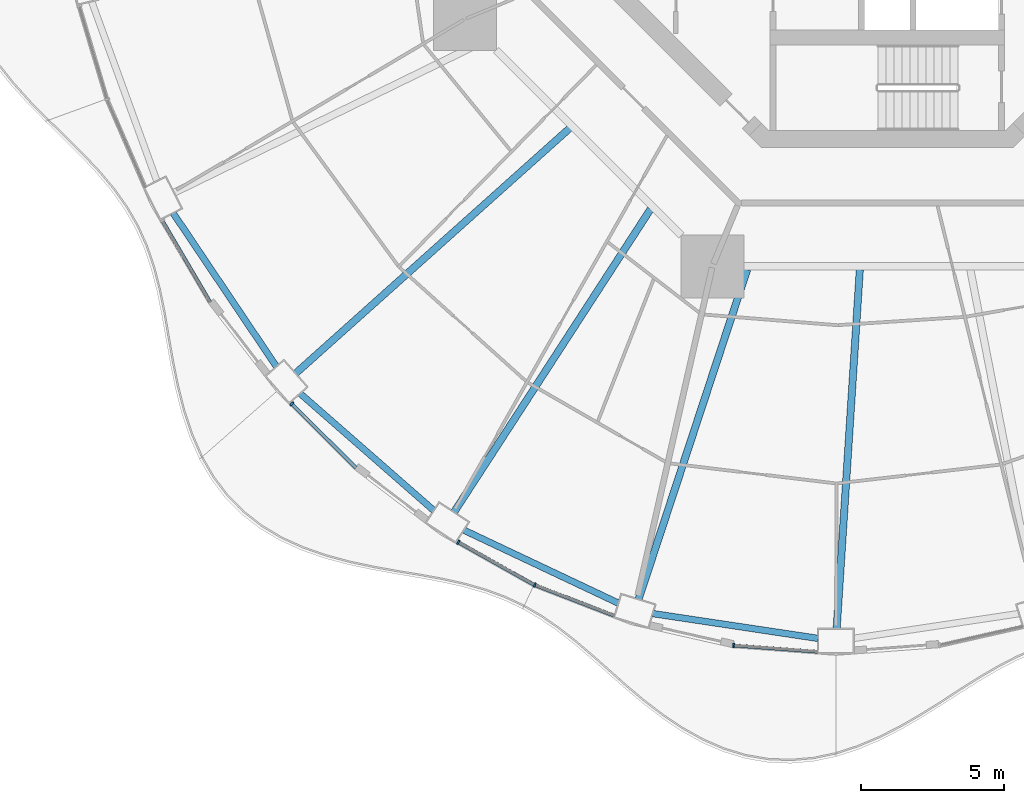
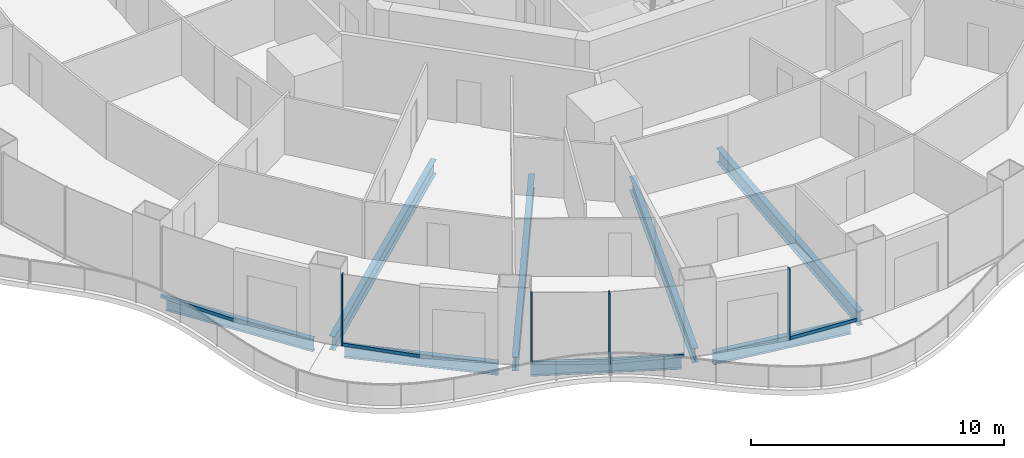
# One storey, part 2 of 22: 9 members, 8 beams, 5 elements without a shape of their own.
"""IFC4 building model written with IfcOpenShell, lengths in metres."""

from ifc_helpers import new_model, si_unit, direction, frame, origin, origin_2d, place, context, subcontext, project, spatial, rectangle, i_section, extrude, material, layer, layer_set, material_profile, profile_set, type_object, element, aggregate, save


model = new_model("IFC4")

# Units and contexts
model_context = context("Model", 3, precision=1e-05, world=origin(), true_north=direction((0.0, 1.0)))
body_context = subcontext(model_context, "Body", "Model", "MODEL_VIEW")
ifc_project = project(units=[si_unit("LENGTHUNIT", "METRE"), si_unit("AREAUNIT", "SQUARE_METRE"), si_unit("VOLUMEUNIT", "CUBIC_METRE"), si_unit("PLANEANGLEUNIT", "RADIAN"), si_unit("MASSUNIT", "GRAM", prefix="KILO")], contexts=[model_context])

# Site, building, storey
site_placement = place(None, origin())
site = spatial("IfcSite", under=ifc_project, at=site_placement, CompositionType="ELEMENT")
building_placement = place(site_placement, origin())
building = spatial("IfcBuilding", under=site, at=building_placement, Name="Nagisa Residences", CompositionType="ELEMENT")
storey_placement = place(building_placement, frame((0.0, 0.0, 99.199951171875)))
storey = spatial("IfcBuildingStorey", under=building, at=storey_placement, Name="L24", CompositionType="ELEMENT", Elevation=99.199951171875)

# Curtain wall, member
ifc_material_1 = material(Name="Concrete-coloured aluminium curtain wall system", Category="concrete")
ifc_layer = layer(ifc_material_1, 0.159912109375)
ifc_layer_set = layer_set([ifc_layer], Name="CW1 CURTAIN WALL")
curtain_wall_type = type_object("IfcCurtainWallType", Name="CW1 CURTAIN WALL", PredefinedType="NOTDEFINED", material=ifc_layer_set)
curtain_wall_1_placement = place(storey_placement, origin())
curtain_wall_1 = element("IfcCurtainWall", 1, at=curtain_wall_1_placement, inside=storey, type_object=curtain_wall_type, Name="cw:CW1:L24:30", PredefinedType="NOTDEFINED")
ifc_material_2 = material(Name="Concrete-coloured aluminium", Category="concrete")
ifc_material_profile_1 = material_profile(ifc_material_2, rectangle(XDim=0.159912109375, YDim=0.06005859375, at=origin_2d()), Name="CW1 MULLION 160x60")
ifc_profile_set_1 = profile_set([ifc_material_profile_1], Name="Concrete-coloured aluminium")
member_type_1 = type_object("IfcMemberType", Name="CW1 MULLION 160x60", PredefinedType="MULLION", material=ifc_profile_set_1)
member_1_placement = place(storey_placement, frame((-20.845458984375, -19.590576171875, 0.0), z_axis=(0.0, 0.0, 1.0), x_axis=(0.706376885714, 0.707835924016, 0.0)))
member_1 = element("IfcMember", 2, at=member_1_placement, type_object=member_type_1, Name="CW1 mullion", PredefinedType="MULLION", context=body_context, shape_type="SweptSolid", body=[
    extrude(rectangle(XDim=0.159912109375, YDim=0.06005859375, at=origin_2d()), origin(), (0.0, 0.0, 1.0), 3.43994140625),
])

curtain_wall_2_placement = place(storey_placement, origin())
curtain_wall_2 = element("IfcCurtainWall", 3, at=curtain_wall_2_placement, inside=storey, type_object=curtain_wall_type, Name="cw:CW1:L24:32", PredefinedType="NOTDEFINED")
member_2_placement = place(storey_placement, frame((-15.015380859375, -24.43798828125, 0.0), z_axis=(0.0, 0.0, 1.0), x_axis=(0.489376918501, 0.872072377523, 0.0)))
member_2 = element("IfcMember", 4, at=member_2_placement, type_object=member_type_1, Name="CW1 mullion", PredefinedType="MULLION", context=body_context, shape_type="SweptSolid", body=[
    extrude(rectangle(XDim=0.159912109375, YDim=0.06005859375, at=origin_2d()), origin(), (0.0, 0.0, 1.0), 3.43994140625),
])

curtain_wall_3_placement = place(storey_placement, origin())
curtain_wall_3 = element("IfcCurtainWall", 5, at=curtain_wall_3_placement, inside=storey, type_object=curtain_wall_type, Name="cw:CW1:L24:33", PredefinedType="NOTDEFINED")
member_3_placement = place(storey_placement, frame((-12.341552734375, -25.9345703125, 0.0), z_axis=(0.0, 0.0, 1.0), x_axis=(0.360327770268, 0.932825759707, 0.0)))
member_3 = element("IfcMember", 6, at=member_3_placement, type_object=member_type_1, Name="CW1 mullion", PredefinedType="MULLION", context=body_context, shape_type="SweptSolid", body=[
    extrude(rectangle(XDim=0.159912109375, YDim=0.06005859375, at=origin_2d()), origin(), (0.0, 0.0, 1.0), 3.43994140625),
])

curtain_wall_4_placement = place(storey_placement, origin())
curtain_wall_4 = element("IfcCurtainWall", 7, at=curtain_wall_4_placement, inside=storey, type_object=curtain_wall_type, Name="cw:CW1:L24:35", PredefinedType="NOTDEFINED")
member_4_placement = place(storey_placement, frame((-5.379150390625, -28.050048828125, 0.0), z_axis=(0.0, 0.0, 1.0), x_axis=(0.074377355493, 0.997230168512, 0.0)))
member_4 = element("IfcMember", 8, at=member_4_placement, type_object=member_type_1, Name="CW1 mullion", PredefinedType="MULLION", context=body_context, shape_type="SweptSolid", body=[
    extrude(rectangle(XDim=0.159912109375, YDim=0.06005859375, at=origin_2d()), origin(), (0.0, 0.0, 1.0), 3.43994140625),
])

curtain_wall_5_placement = place(storey_placement, origin())
curtain_wall_5 = element("IfcCurtainWall", 9, at=curtain_wall_5_placement, inside=storey, type_object=curtain_wall_type, Name="cw:CW1:L24:28", PredefinedType="NOTDEFINED")
ifc_material_3 = material(Name="Concrete-coloured aluminium", Category="concrete")
ifc_material_profile_2 = material_profile(ifc_material_3, rectangle(XDim=0.1201171875, YDim=0.14990234375, at=origin_2d()), Name="CW1 TRANSOM 120x150")
ifc_profile_set_2 = profile_set([ifc_material_profile_2], Name="Concrete-coloured aluminium")
member_type_2 = type_object("IfcMemberType", Name="CW1 TRANSOM 120x150", PredefinedType="USERDEFINED", material=ifc_profile_set_2)
member_5_placement = place(storey_placement, frame((-25.386474609375, -13.159912109375, 0.074951171875), z_axis=(0.506384588027, -0.862307746114, 0.0), x_axis=(0.862307746114, 0.506384588027, 0.0)))
member_5 = element("IfcMember", 10, at=member_5_placement, type_object=member_type_2, Name="CW1 transom", ObjectType="TRANSOM", PredefinedType="USERDEFINED", context=body_context, shape_type="SweptSolid", body=[
    extrude(rectangle(XDim=0.1201171875, YDim=0.14990234375, at=origin_2d()), origin(), (0.0, 0.0, 1.0), 3.32470703125),
])
aggregate(curtain_wall_5, [member_5])

# Member
member_6_placement = place(storey_placement, frame((-20.86669921875, -19.5693359375, 0.074951171875), z_axis=(0.707869817944, -0.706342920149, 0.0), x_axis=(0.706342920149, 0.707869817944, 0.0)))
member_6 = element("IfcMember", 11, at=member_6_placement, type_object=member_type_2, Name="CW1 transom", ObjectType="TRANSOM", PredefinedType="USERDEFINED", context=body_context, shape_type="SweptSolid", body=[
    extrude(rectangle(XDim=0.1201171875, YDim=0.14990234375, at=origin_2d()), origin(), (0.0, 0.0, 1.0), 3.19775390625),
])

aggregate(curtain_wall_1, [member_1, member_6])

member_7_placement = place(storey_placement, frame((-15.04150390625, -24.42333984375, 0.074951171875), z_axis=(0.872037280335, -0.489439456631, 0.0), x_axis=(0.489439456631, 0.872037280335, 0.0)))
member_7 = element("IfcMember", 12, at=member_7_placement, type_object=member_type_2, Name="CW1 transom", ObjectType="TRANSOM", PredefinedType="USERDEFINED", context=body_context, shape_type="SweptSolid", body=[
    extrude(rectangle(XDim=0.1201171875, YDim=0.14990234375, at=origin_2d()), origin(), (0.0, 0.0, 1.0), 3.07568359375),
])

aggregate(curtain_wall_2, [member_2, member_7])

member_8_placement = place(storey_placement, frame((-12.36962890625, -25.923828125, 0.074951171875), z_axis=(0.932837560624, -0.360297218263, 0.0), x_axis=(0.360297218263, 0.932837560624, 0.0)))
member_8 = element("IfcMember", 13, at=member_8_placement, type_object=member_type_2, Name="CW1 transom", ObjectType="TRANSOM", PredefinedType="USERDEFINED", context=body_context, shape_type="SweptSolid", body=[
    extrude(rectangle(XDim=0.1201171875, YDim=0.14990234375, at=origin_2d()), origin(), (0.0, 0.0, 1.0), 3.027587890625),
])

aggregate(curtain_wall_3, [member_3, member_8])

member_9_placement = place(storey_placement, frame((-5.408935546875, -28.0478515625, 0.074951171875), z_axis=(0.997226174467, -0.074430887117, 0.0), x_axis=(0.074430887117, 0.997226174467, 0.0)))
member_9 = element("IfcMember", 14, at=member_9_placement, type_object=member_type_2, Name="CW1 transom", ObjectType="TRANSOM", PredefinedType="USERDEFINED", context=body_context, shape_type="SweptSolid", body=[
    extrude(rectangle(XDim=0.1201171875, YDim=0.14990234375, at=origin_2d()), origin(), (0.0, 0.0, 1.0), 2.97509765625),
])

aggregate(curtain_wall_4, [member_4, member_9])

# Beams
ifc_material_4 = material(Name="Steel ASTM A572 Gr 50", Category="steel")
ifc_material_profile_3 = material_profile(ifc_material_4, i_section(OverallWidth=0.22802734375, OverallDepth=0.60302734375, WebThickness=0.010498046875, FlangeThickness=0.014892578125, at=origin_2d()), Name="W610x101")
ifc_profile_set_3 = profile_set([ifc_material_profile_3], Name="Steel ASTM A572 Gr 50")
beam_type_1 = type_object("IfcBeamType", Name="Perimeter ring beam W610x101", PredefinedType="BEAM", material=ifc_profile_set_3)
beam_1_placement = place(storey_placement, frame((-24.9970703125, -12.91650390625, -0.5615234375), z_axis=(0.558203607151, -0.829704003222, 0.0), x_axis=(0.829704003222, 0.558203607151, 0.0)))
element("IfcBeam", 15, at=beam_1_placement, inside=storey, type_object=beam_type_1, Name="beam:L24:pb15", PredefinedType="BEAM", context=body_context, shape_type="SweptSolid", body=[
    extrude(i_section(OverallWidth=0.22802734375, OverallDepth=0.60302734375, WebThickness=0.010498046875, FlangeThickness=0.014892578125, at=origin_2d()), origin(), (0.0, 0.0, 1.0), 6.4716796875),
])
beam_2_placement = place(storey_placement, frame((-20.551513671875, -19.231689453125, -0.5615234375), z_axis=(0.752542612886, -0.658543556488, 0.0), x_axis=(0.658543556488, 0.752542612886, 0.0)))
element("IfcBeam", 16, at=beam_2_placement, inside=storey, type_object=beam_type_1, Name="beam:L24:pb16", PredefinedType="BEAM", context=body_context, shape_type="SweptSolid", body=[
    extrude(i_section(OverallWidth=0.22802734375, OverallDepth=0.60302734375, WebThickness=0.010498046875, FlangeThickness=0.014892578125, at=origin_2d()), origin(), (0.0, 0.0, 1.0), 6.212646484375),
])
beam_3_placement = place(storey_placement, frame((-14.822021484375, -24.013916015625, -0.5615234375), z_axis=(0.90418952838, -0.427131474804, 0.0), x_axis=(0.427131474804, 0.90418952838, 0.0)))
element("IfcBeam", 17, at=beam_3_placement, inside=storey, type_object=beam_type_1, Name="beam:L24:pb17", PredefinedType="BEAM", context=body_context, shape_type="SweptSolid", body=[
    extrude(i_section(OverallWidth=0.22802734375, OverallDepth=0.60302734375, WebThickness=0.010498046875, FlangeThickness=0.014892578125, at=origin_2d()), origin(), (0.0, 0.0, 1.0), 5.98046875),
])
beam_4_placement = place(storey_placement, frame((-8.20849609375, -26.93505859375, -0.5615234375), z_axis=(0.988913048607, -0.148495731568, 0.0), x_axis=(0.148495731568, 0.988913048607, 0.0)))
element("IfcBeam", 18, at=beam_4_placement, inside=storey, type_object=beam_type_1, Name="beam:L24:pb18", PredefinedType="BEAM", context=body_context, shape_type="SweptSolid", body=[
    extrude(i_section(OverallWidth=0.22802734375, OverallDepth=0.60302734375, WebThickness=0.010498046875, FlangeThickness=0.014892578125, at=origin_2d()), origin(), (0.0, 0.0, 1.0), 5.843017578125),
])
ifc_material_5 = material(Name="Steel ASTM A572 Gr 50", Category="steel")
ifc_material_profile_4 = material_profile(ifc_material_5, i_section(OverallWidth=0.2529296875, OverallDepth=0.677978515625, WebThickness=0.01171875, FlangeThickness=0.016357421875, at=origin_2d()), Name="W690x125")
ifc_profile_set_4 = profile_set([ifc_material_profile_4], Name="Steel ASTM A572 Gr 50")
beam_type_2 = type_object("IfcBeamType", Name="Radial beam W690x125", PredefinedType="BEAM", material=ifc_profile_set_4)
beam_5_placement = place(storey_placement, frame((-20.709228515625, -18.526611328125, -0.598876953125), z_axis=(0.745284973843, 0.666746059428, 0.0), x_axis=(-0.666746059428, 0.745284973843, 0.0)))
element("IfcBeam", 19, at=beam_5_placement, inside=storey, type_object=beam_type_2, Name="beam:L24:rb16", PredefinedType="BEAM", context=body_context, shape_type="SweptSolid", body=[
    extrude(i_section(OverallWidth=0.2529296875, OverallDepth=0.677978515625, WebThickness=0.01171875, FlangeThickness=0.016357421875, at=origin_2d()), origin(), (0.0, 0.0, 1.0), 12.869384765625),
])
beam_6_placement = place(storey_placement, frame((-15.16357421875, -23.38134765625, -0.598876953125), z_axis=(0.544121648903, 0.839006335611, 0.0), x_axis=(-0.839006335611, 0.544121648903, 0.0)))
element("IfcBeam", 20, at=beam_6_placement, inside=storey, type_object=beam_type_2, Name="beam:L24:rb17", PredefinedType="BEAM", context=body_context, shape_type="SweptSolid", body=[
    extrude(i_section(OverallWidth=0.2529296875, OverallDepth=0.677978515625, WebThickness=0.01171875, FlangeThickness=0.016357421875, at=origin_2d()), origin(), (0.0, 0.0, 1.0), 12.63818359375),
])
beam_7_placement = place(storey_placement, frame((-8.7041015625, -26.431884765625, -0.598876953125), z_axis=(0.312788454633, 0.94982281645, 0.0), x_axis=(-0.94982281645, 0.312788454633, 0.0)))
element("IfcBeam", 21, at=beam_7_placement, inside=storey, type_object=beam_type_2, Name="beam:L24:rb18", PredefinedType="BEAM", context=body_context, shape_type="SweptSolid", body=[
    extrude(i_section(OverallWidth=0.2529296875, OverallDepth=0.677978515625, WebThickness=0.01171875, FlangeThickness=0.016357421875, at=origin_2d()), origin(), (0.0, 0.0, 1.0), 12.145751953125),
])
beam_8_placement = place(storey_placement, frame((-1.772216796875, -27.46728515625, -0.598876953125), z_axis=(0.064392860553, 0.997924626167, 0.0), x_axis=(-0.997924626167, 0.064392860553, 0.0)))
element("IfcBeam", 22, at=beam_8_placement, inside=storey, type_object=beam_type_2, Name="beam:L24:rb19", PredefinedType="BEAM", context=body_context, shape_type="SweptSolid", body=[
    extrude(i_section(OverallWidth=0.2529296875, OverallDepth=0.677978515625, WebThickness=0.01171875, FlangeThickness=0.016357421875, at=origin_2d()), origin(), (0.0, 0.0, 1.0), 12.598876953125),
])

save(model, "model.ifc")
